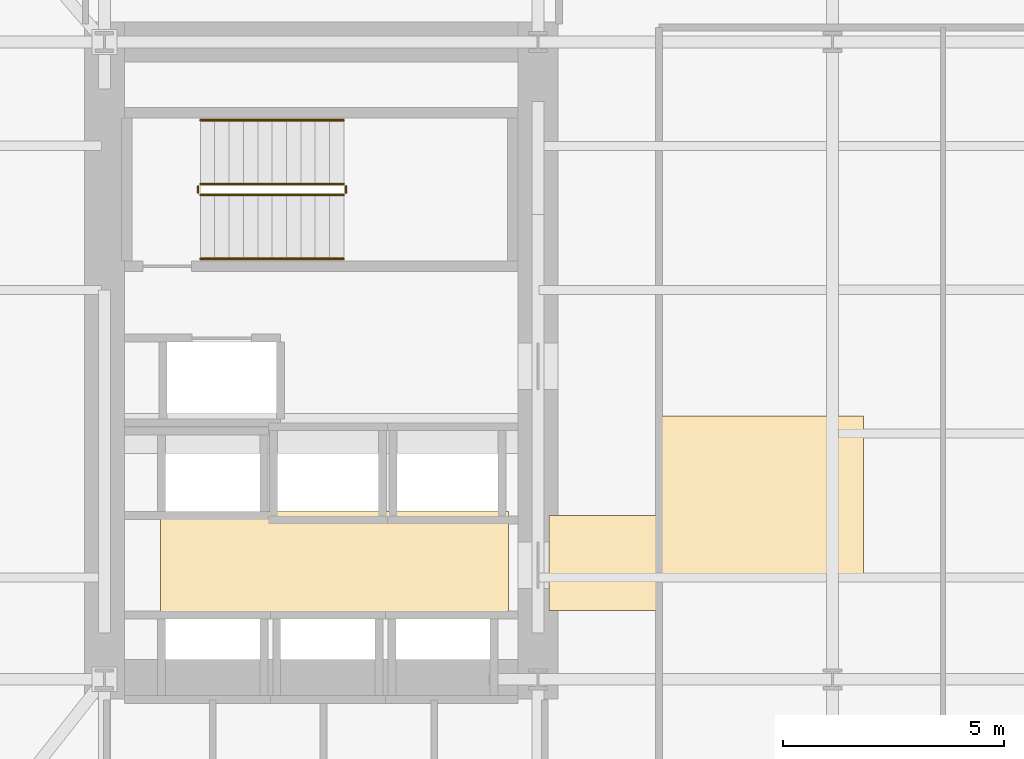
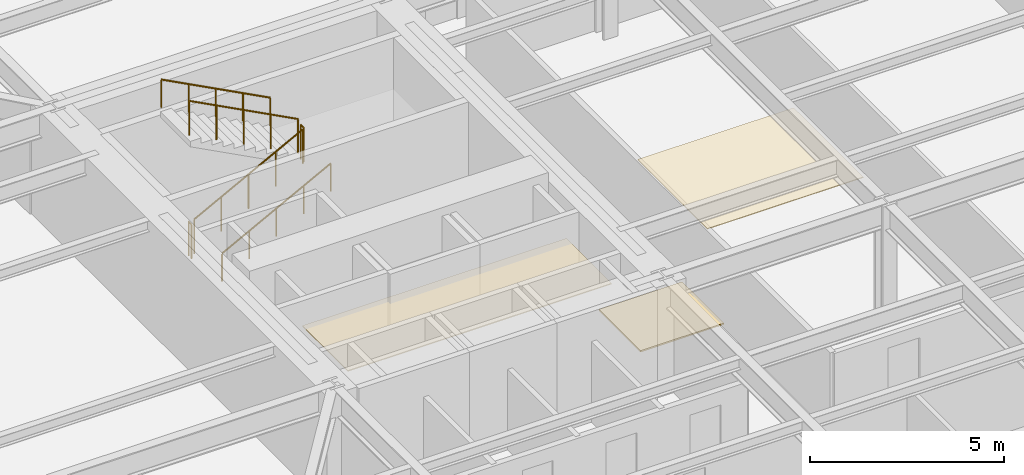
# One storey, part 10 of 15: 6 railings, 3 coverings.
"""IFC4 building model written with IfcOpenShell, lengths in metres."""

from ifc_helpers import new_model, si_unit, direction, frame, origin, origin_2d, place, context, subcontext, project, spatial, polyline, circle, outline, extrude, material, layer, layer_set, type_object, element, save


model = new_model("IFC4")

# Units and contexts
model_context = context("Model", 3, precision=1e-05, world=origin(), true_north=direction((0.0, 1.0)))
body_context = subcontext(model_context, "Body", "Model", "MODEL_VIEW")
ifc_project = project(units=[si_unit("LENGTHUNIT", "METRE"), si_unit("AREAUNIT", "SQUARE_METRE"), si_unit("VOLUMEUNIT", "CUBIC_METRE"), si_unit("PLANEANGLEUNIT", "RADIAN"), si_unit("MASSUNIT", "GRAM", prefix="KILO")], contexts=[model_context])

# Site, building, storey
site_placement = place(None, origin())
site = spatial("IfcSite", under=ifc_project, at=site_placement, CompositionType="ELEMENT")
building_placement = place(site_placement, origin())
building = spatial("IfcBuilding", under=site, at=building_placement, Name="Kolvaren Arena Tower", CompositionType="ELEMENT")
storey_placement = place(building_placement, frame((0.0, 0.0, 60.75)))
storey = spatial("IfcBuildingStorey", under=building, at=storey_placement, Name="L12", CompositionType="ELEMENT", Elevation=60.75)

# Coverings
ifc_material_1 = material(Name="Mineral fibre acoustic ceiling tile", Category="gypsum")
ifc_layer_1 = layer(ifc_material_1, 0.02490234375)
ifc_layer_set_1 = layer_set([ifc_layer_1], Name="Mineral fibre acoustic ceiling tile")
covering_type_1 = type_object("IfcCoveringType", Name="CEIL-ACT-1", PredefinedType="CEILING", material=ifc_layer_set_1)
covering_1_placement = place(storey_placement, frame((0.0, 0.0, 2.52001953125)))
element("IfcCovering", 1, at=covering_1_placement, inside=storey, type_object=covering_type_1, Name="Suspended Ceiling (L12)", PredefinedType="CEILING", context=body_context, shape_type="SweptSolid", body=[
    extrude(outline(polyline([(27.050048828125, 21.800048828125), (27.050048828125, 25.39990234375), (31.699951171875, 25.39990234375), (31.699951171875, 21.800048828125), (27.050048828125, 21.800048828125)])), origin(), (0.0, 0.0, 1.0), 0.02490234375),
])
ifc_material_2 = material(Name="Moisture-resistant gypsum ceiling", Category="gypsum")
ifc_layer_2 = layer(ifc_material_2, 0.030029296875)
ifc_layer_set_2 = layer_set([ifc_layer_2], Name="Moisture-resistant gypsum ceiling")
covering_type_2 = type_object("IfcCoveringType", Name="CEIL-GYP-1", PredefinedType="CEILING", material=ifc_layer_set_2)
covering_2_placement = place(storey_placement, frame((0.0, 0.0, 2.52001953125)))
element("IfcCovering", 2, at=covering_2_placement, inside=storey, type_object=covering_type_2, Name="Suspended Ceiling (L12)", PredefinedType="CEILING", context=body_context, shape_type="SweptSolid", body=[
    extrude(outline(polyline([(15.820068359375, 20.89990234375), (15.820068359375, 23.239990234375), (23.679931640625, 23.239990234375), (23.679931640625, 20.89990234375), (15.820068359375, 20.89990234375)])), origin(), (0.0, 0.0, 1.0), 0.030029296875),
])
ifc_material_3 = material(Name="Raised access office floor finish", Category="aluminium")
ifc_layer_3 = layer(ifc_material_3, 0.044921875)
ifc_layer_set_3 = layer_set([ifc_layer_3], Name="Raised access office floor finish")
covering_type_3 = type_object("IfcCoveringType", Name="FLOR-RAF-1", PredefinedType="FLOORING", material=ifc_layer_set_3)
covering_3_placement = place(storey_placement, origin())
element("IfcCovering", 3, at=covering_3_placement, inside=storey, type_object=covering_type_3, Name="Floor Finish (L12)", PredefinedType="FLOORING", context=body_context, shape_type="SweptSolid", body=[
    extrude(outline(polyline([(24.60009765625, 21.0), (24.60009765625, 23.14990234375), (27.080078125, 23.14990234375), (27.080078125, 21.0), (24.60009765625, 21.0)])), origin(), (0.0, 0.0, 1.0), 0.044921875),
])

# Railings
ifc_material_4 = material(Name="Painted galvanized steel", Category="steel")
railing_type_1 = type_object("IfcRailingType", Name="GUARD-ST-110", PredefinedType="GUARDRAIL", material=ifc_material_4)
railing_1_placement = place(storey_placement, frame((16.719970703125, 30.389892578125, 0.17041015625)))
element("IfcRailing", 4, at=railing_1_placement, inside=storey, type_object=railing_type_1, Name="L12 ST-W1 stair guard 1", PredefinedType="GUARDRAIL", context=body_context, shape_type="SweptSolid", body=[
    extrude(circle(Radius=0.02392578125, at=origin_2d()), frame((0.0, 0.0, 1.076171875), z_axis=(0.884993431791, 0.0, 0.465603506952), x_axis=(0.0, 1.0, 0.0)), (0.0, 0.0, 1.0), 3.6611328125),
    extrude(circle(Radius=0.02099609375, at=origin_2d()), origin(), (0.0, 0.0, 1.0), 1.052001953125),
    extrude(circle(Radius=0.02099609375, at=origin_2d()), frame((0.81005859375, 0.0, 0.42626953125)), (0.0, 0.0, 1.0), 1.052001953125),
    extrude(circle(Radius=0.02099609375, at=origin_2d()), frame((1.6201171875, 0.0, 0.852294921875)), (0.0, 0.0, 1.0), 1.052001953125),
    extrude(circle(Radius=0.02099609375, at=origin_2d()), frame((2.429931640625, 0.0, 1.2783203125)), (0.0, 0.0, 1.0), 1.052001953125),
    extrude(circle(Radius=0.02099609375, at=origin_2d()), frame((3.239990234375, 0.0, 1.70458984375)), (0.0, 0.0, 1.0), 1.052001953125),
])
railing_2_placement = place(storey_placement, frame((20.010009765625, 30.43994140625, 1.875)))
element("IfcRailing", 5, at=railing_2_placement, inside=storey, type_object=railing_type_1, Name="L12 ST-W1 stair guard 2", PredefinedType="GUARDRAIL", context=body_context, shape_type="SweptSolid", body=[
    extrude(circle(Radius=0.02392578125, at=origin_2d()), frame((0.0, 0.0, 1.076171875), z_axis=(0.0, 1.0, 0.0), x_axis=(-1.0, 0.0, 0.0)), (0.0, 0.0, 1.0), 0.150146484375),
    extrude(circle(Radius=0.02099609375, at=origin_2d()), origin(), (0.0, 0.0, 1.0), 1.052001953125),
    extrude(circle(Radius=0.02099609375, at=origin_2d()), frame((0.0, 0.150146484375, 0.0)), (0.0, 0.0, 1.0), 1.052001953125),
])
railing_3_placement = place(storey_placement, frame((19.9599609375, 30.639892578125, 2.04541015625)))
element("IfcRailing", 6, at=railing_3_placement, inside=storey, type_object=railing_type_1, Name="L12 ST-W1 stair guard 3", PredefinedType="GUARDRAIL", context=body_context, shape_type="SweptSolid", body=[
    extrude(circle(Radius=0.02392578125, at=origin_2d()), frame((0.0, 0.0, 1.076171875), z_axis=(-0.884993431791, 0.0, 0.465603506952), x_axis=(0.0, -1.0, 0.0)), (0.0, 0.0, 1.0), 3.6611328125),
    extrude(circle(Radius=0.02099609375, at=origin_2d()), origin(), (0.0, 0.0, 1.0), 1.052001953125),
    extrude(circle(Radius=0.02099609375, at=origin_2d()), frame((-0.81005859375, 0.0, 0.42626953125)), (0.0, 0.0, 1.0), 1.052001953125),
    extrude(circle(Radius=0.02099609375, at=origin_2d()), frame((-1.6201171875, 0.0, 0.852294921875)), (0.0, 0.0, 1.0), 1.052001953125),
    extrude(circle(Radius=0.02099609375, at=origin_2d()), frame((-2.429931640625, 0.0, 1.2783203125)), (0.0, 0.0, 1.0), 1.052001953125),
    extrude(circle(Radius=0.02099609375, at=origin_2d()), frame((-3.239990234375, 0.0, 1.70458984375)), (0.0, 0.0, 1.0), 1.052001953125),
])
railing_4_placement = place(storey_placement, frame((16.669921875, 30.43994140625, 0.0)))
element("IfcRailing", 7, at=railing_4_placement, inside=storey, type_object=railing_type_1, Name="L12 ST-W1 stair guard 4", PredefinedType="GUARDRAIL", context=body_context, shape_type="SweptSolid", body=[
    extrude(circle(Radius=0.02392578125, at=origin_2d()), frame((0.0, 0.0, 1.076171875), z_axis=(0.0, 1.0, 0.0), x_axis=(-1.0, 0.0, 0.0)), (0.0, 0.0, 1.0), 0.150146484375),
    extrude(circle(Radius=0.02099609375, at=origin_2d()), origin(), (0.0, 0.0, 1.0), 1.052001953125),
    extrude(circle(Radius=0.02099609375, at=origin_2d()), frame((0.0, 0.150146484375, 0.0)), (0.0, 0.0, 1.0), 1.052001953125),
])
ifc_material_5 = material(Name="Brushed stainless steel handrail", Category="steel")
railing_type_2 = type_object("IfcRailingType", Name="HRAIL-900", PredefinedType="HANDRAIL", material=ifc_material_5)
railing_5_placement = place(storey_placement, frame((16.719970703125, 28.949951171875, 0.17041015625)))
element("IfcRailing", 8, at=railing_5_placement, inside=storey, type_object=railing_type_2, Name="L12 ST-W1 stair handrail 1", PredefinedType="HANDRAIL", context=body_context, shape_type="SweptSolid", body=[
    extrude(circle(Radius=0.02392578125, at=origin_2d()), frame((0.0, 0.0, 0.8759765625), z_axis=(0.884993431791, 0.0, 0.465603506952), x_axis=(0.0, 1.0, 0.0)), (0.0, 0.0, 1.0), 3.6611328125),
    extrude(circle(Radius=0.02099609375, at=origin_2d()), origin(), (0.0, 0.0, 1.0), 0.851806640625),
    extrude(circle(Radius=0.02099609375, at=origin_2d()), frame((0.81005859375, 0.0, 0.42626953125)), (0.0, 0.0, 1.0), 0.851806640625),
    extrude(circle(Radius=0.02099609375, at=origin_2d()), frame((1.6201171875, 0.0, 0.852294921875)), (0.0, 0.0, 1.0), 0.851806640625),
    extrude(circle(Radius=0.02099609375, at=origin_2d()), frame((2.429931640625, 0.0, 1.2783203125)), (0.0, 0.0, 1.0), 0.851806640625),
    extrude(circle(Radius=0.02099609375, at=origin_2d()), frame((3.239990234375, 0.0, 1.70458984375)), (0.0, 0.0, 1.0), 0.851806640625),
])
railing_6_placement = place(storey_placement, frame((19.9599609375, 32.080078125, 2.04541015625)))
element("IfcRailing", 9, at=railing_6_placement, inside=storey, type_object=railing_type_2, Name="L12 ST-W1 stair handrail 2", PredefinedType="HANDRAIL", context=body_context, shape_type="SweptSolid", body=[
    extrude(circle(Radius=0.02392578125, at=origin_2d()), frame((0.0, 0.0, 0.8759765625), z_axis=(-0.884993431791, 0.0, 0.465603506952), x_axis=(0.0, -1.0, 0.0)), (0.0, 0.0, 1.0), 3.6611328125),
    extrude(circle(Radius=0.02099609375, at=origin_2d()), origin(), (0.0, 0.0, 1.0), 0.851806640625),
    extrude(circle(Radius=0.02099609375, at=origin_2d()), frame((-0.81005859375, 0.0, 0.42626953125)), (0.0, 0.0, 1.0), 0.851806640625),
    extrude(circle(Radius=0.02099609375, at=origin_2d()), frame((-1.6201171875, 0.0, 0.852294921875)), (0.0, 0.0, 1.0), 0.851806640625),
    extrude(circle(Radius=0.02099609375, at=origin_2d()), frame((-2.429931640625, 0.0, 1.2783203125)), (0.0, 0.0, 1.0), 0.851806640625),
    extrude(circle(Radius=0.02099609375, at=origin_2d()), frame((-3.239990234375, 0.0, 1.70458984375)), (0.0, 0.0, 1.0), 0.851806640625),
])

save(model, "model.ifc")
